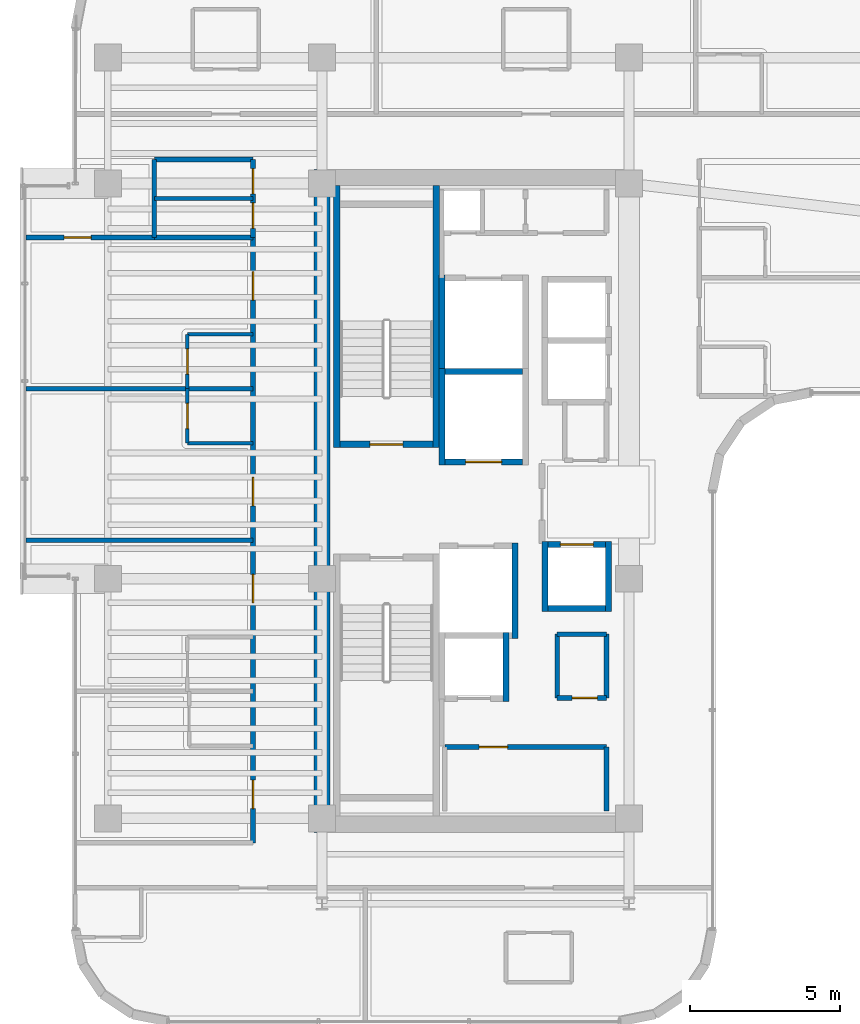
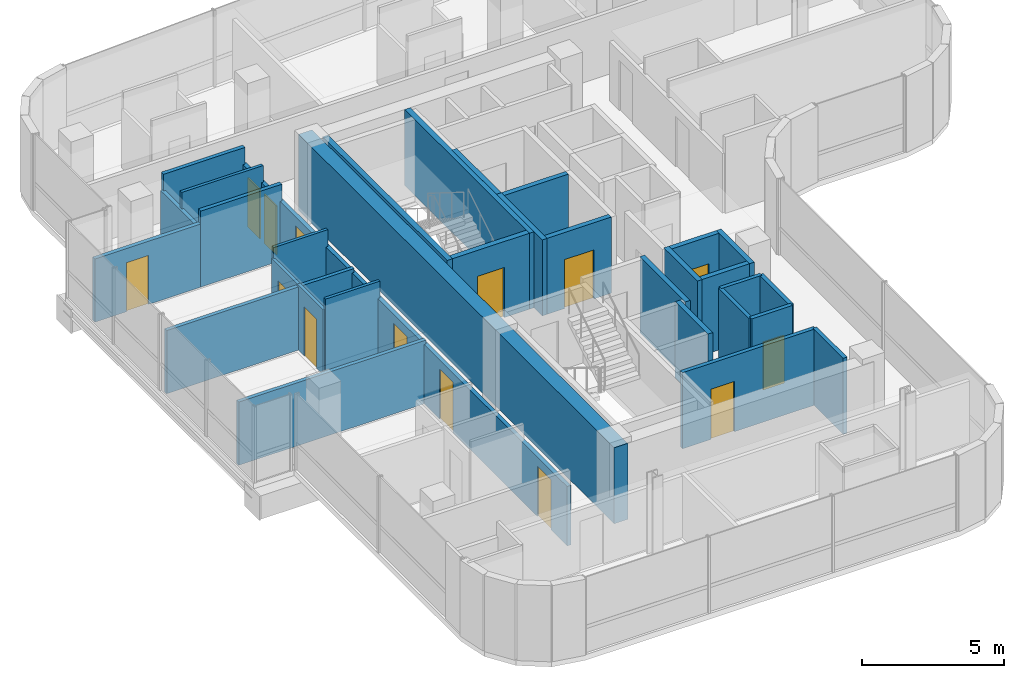
# One storey, part 17 of 22: 33 walls, 14 doors, 14 openings.
"""IFC4 building model written with IfcOpenShell, lengths in metres."""

import ifcopenshell
import ifcopenshell.guid

model = None  # the IFC model being written
_history = None  # IfcOwnerHistory: only IFC2X3 demands one
_inside = {}  # id of a spatial element -> (the spatial element, [elements in it])
_under = {}  # id of a project, library or spatial element -> (it, [spatial elements below it])
_declared = {}  # id of a project -> (the project, [libraries it declares])
_typed = {}  # id of a type object -> (the type object, [elements of that type])
_made_of = {}  # id of a material, layer set ... -> (it, [elements and type objects made of it])


def new_model(schema):
    """Start an empty IFC model of exactly this schema.

    Asked for "IFC4X3", IfcOpenShell would pick the latest addendum, in which some entities
    have other attributes; the version numbers below select the first issue.
    IFC2X3 requires an IfcOwnerHistory on every rooted entity: one is made here for all.
    """
    global model, _history
    if schema == "IFC4X3":
        model = ifcopenshell.file(schema_version=(4, 3, 0, 0))
    else:
        model = ifcopenshell.file(schema=schema)
    _inside.clear()
    _under.clear()
    _declared.clear()
    _typed.clear()
    _made_of.clear()
    _history = None
    if model.schema == "IFC2X3":
        org = make("IfcOrganization", Name="unknown")
        user = make(
            "IfcPersonAndOrganization",
            ThePerson=make("IfcPerson", FamilyName="unknown"),
            TheOrganization=org,
        )
        app = make(
            "IfcApplication",
            ApplicationDeveloper=org,
            Version="unknown",
            ApplicationFullName="unknown",
            ApplicationIdentifier="unknown",
        )
        _history = make(
            "IfcOwnerHistory",
            OwningUser=user,
            OwningApplication=app,
            ChangeAction="ADDED",
            CreationDate=0,
        )
    return model


def make(cls, **values):
    """One entity of the class cls with the attributes given. An attribute that is None is left unset."""
    return model.create_entity(
        cls, **{name: value for name, value in values.items() if value is not None}
    )


def rooted(cls, **values):
    """An entity with a GlobalId (a new one), such as an element, a storey or a relation."""
    return make(cls, GlobalId=ifcopenshell.guid.new(), OwnerHistory=_history, **values)


def si_unit(unit_type, name, prefix=None):
    """IfcSIUnit, for example si_unit("LENGTHUNIT", "METRE", prefix="MILLI")."""
    return make("IfcSIUnit", UnitType=unit_type, Prefix=prefix, Name=name)


def assignment(units):
    """IfcUnitAssignment: the units of a project."""
    return None if units is None else make("IfcUnitAssignment", Units=units)


def point(xyz):
    """IfcCartesianPoint."""
    return None if xyz is None else make("IfcCartesianPoint", Coordinates=xyz)


def direction(xyz):
    """IfcDirection."""
    return None if xyz is None else make("IfcDirection", DirectionRatios=xyz)


def frame(location, z_axis=None, x_axis=None):
    """IfcAxis2Placement3D, a coordinate frame: its origin and axes. An axis left out is left unset."""
    return make(
        "IfcAxis2Placement3D",
        Location=point(location),
        Axis=direction(z_axis),
        RefDirection=direction(x_axis),
    )


def frame_2d(location, x_axis=None):
    """IfcAxis2Placement2D, a coordinate frame in the plane: its origin and x axis."""
    return make(
        "IfcAxis2Placement2D", Location=point(location), RefDirection=direction(x_axis)
    )


def origin():
    """The frame at (0, 0, 0) with its axes left unset."""
    return frame((0.0, 0.0, 0.0))


def place(relative_to, where):
    """IfcLocalPlacement: puts the frame where relative to a parent placement (None: the world)."""
    return make(
        "IfcLocalPlacement", PlacementRelTo=relative_to, RelativePlacement=where
    )


def context(
    kind, dimensions, precision=None, world=None, true_north=None, identifier=None
):
    """IfcGeometricRepresentationContext, for example the 3D "Model" context."""
    return make(
        "IfcGeometricRepresentationContext",
        ContextIdentifier=identifier,
        ContextType=kind,
        CoordinateSpaceDimension=dimensions,
        Precision=precision,
        WorldCoordinateSystem=world,
        TrueNorth=true_north,
    )


def subcontext(parent, identifier, kind, view, scale=None):
    """IfcGeometricRepresentationSubContext, for example "Body" below "Model"."""
    return make(
        "IfcGeometricRepresentationSubContext",
        ContextIdentifier=identifier,
        ContextType=kind,
        ParentContext=parent,
        TargetScale=scale,
        TargetView=view,
    )


def project(units=None, contexts=None):
    """IfcProject with its units and contexts."""
    return rooted(
        "IfcProject",
        Name="project",
        RepresentationContexts=contexts,
        UnitsInContext=assignment(units),
    )


def spatial(cls, under=None, at=None, **own):
    """A site, building, storey or space (cls), placed at a placement, below another one or the project."""
    s = rooted(cls, ObjectPlacement=at, **own)
    if under is not None:
        _under.setdefault(under.id(), (under, []))[1].append(s)
    return s


def profile(cls, at=None, kind="AREA", **sizes):
    """A parametric profile (cls). Its sizes go by their IFC names, for example OverallWidth=200.0."""
    return make(cls, ProfileType=kind, Position=at, **sizes)


def rectangle(**sizes):
    """IfcRectangleProfileDef."""
    return profile("IfcRectangleProfileDef", **sizes)


def extrude(swept, where, along, depth):
    """IfcExtrudedAreaSolid: the profile swept, set in the frame where, extruded along a direction by depth."""
    return make(
        "IfcExtrudedAreaSolid",
        SweptArea=swept,
        Position=where,
        ExtrudedDirection=direction(along),
        Depth=depth,
    )


def shape(context_of_items, identifier, shape_type, items):
    """IfcShapeRepresentation: the items that make up one representation, for example the "Body"."""
    return make(
        "IfcShapeRepresentation",
        ContextOfItems=context_of_items,
        RepresentationIdentifier=identifier,
        RepresentationType=shape_type,
        Items=items,
    )


def material(Name=None, Category=None):
    """IfcMaterial."""
    return make("IfcMaterial", Name=Name, Category=Category)


def layer(
    of_material, thickness, ventilated=None, Name=None, Category=None, Priority=None
):
    """IfcMaterialLayer: one layer of a wall or slab, of a material (None: an air gap)."""
    return make(
        "IfcMaterialLayer",
        Material=of_material,
        LayerThickness=thickness,
        IsVentilated=ventilated,
        Name=Name,
        Category=Category,
        Priority=Priority,
    )


def layer_set(layers, Name=None):
    """IfcMaterialLayerSet."""
    return make("IfcMaterialLayerSet", MaterialLayers=layers, LayerSetName=Name)


def made_of(thing, what):
    """Note that an element or type object is made of a material, layer set ...; save() writes the relation."""
    if what is not None:
        _made_of.setdefault(what.id(), (what, []))[1].append(thing)
    return thing


def type_object(cls, material=None, **own):
    """A type object (cls), such as IfcWallType, which elements share."""
    return made_of(rooted(cls, **own), material)


def element(
    cls,
    number,
    at=None,
    inside=None,
    cuts=None,
    type_object=None,
    material=None,
    context=None,
    identifier="Body",
    shape_type=None,
    held_by="IfcProductDefinitionShape",
    body=None,
    shapes=None,
    **own,
):
    """One element of the class cls, such as IfcWall. Its Tag is "e" and its number.

    at: its placement. inside: the storey or other place that contains it. cuts: it is an
    opening in that element (IfcRelVoidsElement). A single representation is given by context,
    identifier, shape_type and body (its items); several are given by shapes. held_by: the class
    of the entity that holds the representations. save() writes the other relations.
    """
    e = rooted(cls, Tag="e%d" % number, ObjectPlacement=at, **own)
    if body is not None:
        shapes = [shape(context, identifier, shape_type, body)]
    if shapes is not None:
        e.Representation = make(held_by, Representations=shapes)
    if inside is not None:
        _inside.setdefault(inside.id(), (inside, []))[1].append(e)
    if cuts is not None:
        rooted(
            "IfcRelVoidsElement", RelatingBuildingElement=cuts, RelatedOpeningElement=e
        )
    if type_object is not None:
        _typed.setdefault(type_object.id(), (type_object, []))[1].append(e)
    return made_of(e, material)


def fill(opening, filler):
    """IfcRelFillsElement: the door or window that sits in an opening."""
    return rooted(
        "IfcRelFillsElement",
        RelatingOpeningElement=opening,
        RelatedBuildingElement=filler,
    )


def aggregate(whole, parts):
    """IfcRelAggregates: a whole, such as a stair, and the parts it consists of."""
    return rooted("IfcRelAggregates", RelatingObject=whole, RelatedObjects=parts)


def save(model, path):
    """Write the relations noted so far, then the file.

    IfcRelAggregates (storeys below a building ...), IfcRelContainedInSpatialStructure (elements
    in a storey), IfcRelDefinesByType, IfcRelAssociatesMaterial and IfcRelDeclares: one each for
    every whole, place, type object, material and project.
    """
    for whole, parts in _under.values():
        aggregate(whole, parts)
    for where, things in _inside.values():
        rooted(
            "IfcRelContainedInSpatialStructure",
            RelatedElements=things,
            RelatingStructure=where,
        )
    for kind, things in _typed.values():
        rooted("IfcRelDefinesByType", RelatedObjects=things, RelatingType=kind)
    for what, things in _made_of.values():
        rooted("IfcRelAssociatesMaterial", RelatedObjects=things, RelatingMaterial=what)
    for by, libraries in _declared.values():
        rooted("IfcRelDeclares", RelatingContext=by, RelatedDefinitions=libraries)
    model.write(path)


model = new_model("IFC4")

# Units and contexts
model_context = context("Model", 3, precision=1e-05, world=origin(), true_north=direction((0.0, 1.0)))
body_context = subcontext(model_context, "Body", "Model", "MODEL_VIEW")
ifc_project = project(units=[si_unit("LENGTHUNIT", "METRE"), si_unit("AREAUNIT", "SQUARE_METRE"), si_unit("VOLUMEUNIT", "CUBIC_METRE"), si_unit("PLANEANGLEUNIT", "RADIAN"), si_unit("MASSUNIT", "GRAM", prefix="KILO")], contexts=[model_context])

# Site, building, storey
site_placement = place(None, origin())
site = spatial("IfcSite", under=ifc_project, at=site_placement, CompositionType="ELEMENT")
building_placement = place(site_placement, origin())
building = spatial("IfcBuilding", under=site, at=building_placement, Name="Valdorenza Pilgrim Sanctuary Tower", CompositionType="ELEMENT")
storey_placement = place(building_placement, frame((0.0, 0.0, 212.5)))
storey = spatial("IfcBuildingStorey", under=building, at=storey_placement, Name="L54", CompositionType="ELEMENT", Elevation=212.5)

# Wall, opening, door
ifc_material_1 = material(Name="Acoustic twin-stud gypsum partition", Category="gypsum")
ifc_layer_1 = layer(ifc_material_1, 0.159912109375, Name="Acoustic twin-stud gypsum partition")
ifc_layer_set_1 = layer_set([ifc_layer_1], Name="Acoustic twin-stud gypsum partition")
wall_type_1 = type_object("IfcWallType", Name="WAL-COR-160", PredefinedType="PARTITIONING", material=ifc_layer_set_1)
wall_1_placement = place(storey_placement, frame((-18.550048828125, -8.219970703125, 0.0), z_axis=(0.0, 0.0, 1.0), x_axis=(1.0, 0.0, 0.0)))
wall_1 = element("IfcWall", 1, at=wall_1_placement, inside=storey, type_object=wall_type_1, Name="L54 Freed Shaft 1 North Wall", PredefinedType="PARTITIONING", context=body_context, shape_type="SweptSolid", body=[
    extrude(rectangle(XDim=5.400146484375, YDim=0.159912109375, at=frame_2d((2.7001953125, 0.0))), origin(), (0.0, 0.0, 1.0), 3.260009765625),
])
opening_1_placement = place(wall_1_placement, frame((1.14990234375, 0.0, 0.0)))
opening_1 = element("IfcOpeningElement", 2, at=opening_1_placement, cuts=wall_1, Name="Opening DR-UN1", PredefinedType="OPENING", context=body_context, shape_type="SweptSolid", body=[
    extrude(rectangle(XDim=0.949951171875, YDim=2.14990234375, at=frame_2d((0.47509765625, 1.074951171875))), frame((0.0, 0.0947265625, 0.0), z_axis=(0.0, -1.0, 0.0), x_axis=(1.0, 0.0, 0.0)), (0.0, 0.0, 1.0), 0.189697265625),
])
ifc_material_2 = material(Name="Solid-core European oak timber", Category="wood")
door_type_1 = type_object("IfcDoorType", Name="DR-UNIT-950", OperationType="NOTDEFINED", PredefinedType="DOOR", material=ifc_material_2)
door_1_placement = place(opening_1_placement, origin())
door_1 = element("IfcDoor", 3, at=door_1_placement, inside=storey, type_object=door_type_1, Name="L54 Back-of-House Linen Store Door", OperationType="SINGLE_SWING_RIGHT", OverallHeight=2.14990234375, OverallWidth=0.949951171875, PredefinedType="DOOR", context=body_context, shape_type="SweptSolid", body=[
    extrude(rectangle(XDim=0.949951171875, YDim=2.14990234375, at=frame_2d((0.47509765625, 1.074951171875))), frame((0.0, 0.02490234375, 0.0), z_axis=(0.0, -1.0, 0.0), x_axis=(1.0, 0.0, 0.0)), (0.0, 0.0, 1.0), 0.050048828125),
])
fill(opening_1, door_1)

# Wall
wall_2_placement = place(storey_placement, frame((-13.14990234375, -10.35009765625, 0.0), z_axis=(0.0, 0.0, 1.0), x_axis=(0.0, 1.0, 0.0)))
element("IfcWall", 4, at=wall_2_placement, inside=storey, type_object=wall_type_1, Name="L54 Freed Shaft 1 East Wall", PredefinedType="PARTITIONING", context=body_context, shape_type="SweptSolid", body=[
    extrude(rectangle(XDim=2.130126953125, YDim=0.159912109375, at=frame_2d((1.06494140625, 0.0))), origin(), (0.0, 0.0, 1.0), 3.260009765625),
])

# Wall, opening, door
wall_3_placement = place(storey_placement, frame((-14.800048828125, -6.580078125, 0.0), z_axis=(0.0, 0.0, 1.0), x_axis=(1.0, 0.0, 0.0)))
wall_3 = element("IfcWall", 5, at=wall_3_placement, inside=storey, type_object=wall_type_1, Name="L54 Freed Shaft 2 South Wall", PredefinedType="PARTITIONING", context=body_context, shape_type="SweptSolid", body=[
    extrude(rectangle(XDim=1.650146484375, YDim=0.159912109375, at=frame_2d((0.8251953125, 0.0))), origin(), (0.0, 0.0, 1.0), 3.260009765625),
])
opening_2_placement = place(wall_3_placement, frame((0.5, 0.0, 0.0)))
opening_2 = element("IfcOpeningElement", 6, at=opening_2_placement, cuts=wall_3, Name="Opening DR-RS1", PredefinedType="OPENING", context=body_context, shape_type="SweptSolid", body=[
    extrude(rectangle(XDim=0.85009765625, YDim=2.050048828125, at=frame_2d((0.425048828125, 1.02490234375))), frame((0.0, 0.0947265625, 0.0), z_axis=(0.0, -1.0, 0.0), x_axis=(1.0, 0.0, 0.0)), (0.0, 0.0, 1.0), 0.189697265625),
])
ifc_material_3 = material(Name="Painted galvanized steel", Category="steel")
door_type_2 = type_object("IfcDoorType", Name="DR-RSR-850", OperationType="NOTDEFINED", PredefinedType="DOOR", material=ifc_material_3)
door_2_placement = place(opening_2_placement, origin())
door_2 = element("IfcDoor", 7, at=door_2_placement, inside=storey, type_object=door_type_2, Name="L54 Guest Tea Pantry Door", OperationType="SINGLE_SWING_LEFT", OverallHeight=2.050048828125, OverallWidth=0.85009765625, PredefinedType="DOOR", context=body_context, shape_type="SweptSolid", body=[
    extrude(rectangle(XDim=0.85009765625, YDim=2.050048828125, at=frame_2d((0.425048828125, 1.02490234375))), frame((0.0, 0.02490234375, 0.0), z_axis=(0.0, -1.0, 0.0), x_axis=(1.0, 0.0, 0.0)), (0.0, 0.0, 1.0), 0.050048828125),
])
fill(opening_2, door_2)

# Walls
wall_4_placement = place(storey_placement, frame((-13.14990234375, -6.580078125, 0.0), z_axis=(0.0, 0.0, 1.0), x_axis=(0.0, 1.0, 0.0)))
element("IfcWall", 8, at=wall_4_placement, inside=storey, type_object=wall_type_1, Name="L54 Freed Shaft 2 East Wall", PredefinedType="PARTITIONING", context=body_context, shape_type="SweptSolid", body=[
    extrude(rectangle(XDim=2.130126953125, YDim=0.159912109375, at=frame_2d((1.06494140625, 0.0))), origin(), (0.0, 0.0, 1.0), 3.260009765625),
])
wall_5_placement = place(storey_placement, frame((-28.25, 8.800048828125, 0.0), z_axis=(0.0, 0.0, 1.0), x_axis=(0.0, 1.0, 0.0)))
element("IfcWall", 9, at=wall_5_placement, inside=storey, type_object=wall_type_1, Name="L54 Washroom West Wall", PredefinedType="PARTITIONING", context=body_context, shape_type="SweptSolid", body=[
    extrude(rectangle(XDim=2.599853515625, YDim=0.159912109375, at=frame_2d((1.2998046875, 0.0))), origin(), (0.0, 0.0, 1.0), 2.5439453125),
])

# Wall, openings, doors
wall_6_placement = place(storey_placement, frame((-24.949951171875, 8.800048828125, 0.0), z_axis=(0.0, 0.0, 1.0), x_axis=(0.0, 1.0, 0.0)))
wall_6 = element("IfcWall", 10, at=wall_6_placement, inside=storey, type_object=wall_type_1, Name="L54 Washroom East Wall", PredefinedType="PARTITIONING", context=body_context, shape_type="SweptSolid", body=[
    extrude(rectangle(XDim=2.599853515625, YDim=0.159912109375, at=frame_2d((1.2998046875, 0.0))), origin(), (0.0, 0.0, 1.0), 2.5439453125),
])
opening_3_placement = place(wall_6_placement, frame((0.300048828125, 0.0, 0.0)))
opening_3 = element("IfcOpeningElement", 11, at=opening_3_placement, cuts=wall_6, Name="Opening DR-WC1", PredefinedType="OPENING", context=body_context, shape_type="SweptSolid", body=[
    extrude(rectangle(XDim=0.85009765625, YDim=2.10009765625, at=frame_2d((0.425048828125, 1.050048828125))), frame((0.0, 0.0947265625, 0.0), z_axis=(0.0, -1.0, 0.0), x_axis=(1.0, 0.0, 0.0)), (0.0, 0.0, 1.0), 0.189697265625),
])
opening_4_placement = place(wall_6_placement, frame((1.449951171875, 0.0, 0.0)))
opening_4 = element("IfcOpeningElement", 12, at=opening_4_placement, cuts=wall_6, Name="Opening DR-WC1", PredefinedType="OPENING", context=body_context, shape_type="SweptSolid", body=[
    extrude(rectangle(XDim=0.85009765625, YDim=2.10009765625, at=frame_2d((0.425048828125, 1.050048828125))), frame((0.0, 0.0947265625, 0.0), z_axis=(0.0, -1.0, 0.0), x_axis=(1.0, 0.0, 0.0)), (0.0, 0.0, 1.0), 0.189697265625),
])
ifc_material_4 = material(Name="Moisture-resistant lacquered timber", Category="wood")
door_type_3 = type_object("IfcDoorType", Name="DR-BATH-850", OperationType="NOTDEFINED", PredefinedType="DOOR", material=ifc_material_4)
door_3_placement = place(opening_3_placement, origin())
door_3 = element("IfcDoor", 13, at=door_3_placement, inside=storey, type_object=door_type_3, Name="L54 Accessible Washroom Door", OperationType="SINGLE_SWING_LEFT", OverallHeight=2.10009765625, OverallWidth=0.85009765625, PredefinedType="DOOR", context=body_context, shape_type="SweptSolid", body=[
    extrude(rectangle(XDim=0.85009765625, YDim=2.10009765625, at=frame_2d((0.425048828125, 1.050048828125))), frame((0.0, 0.02490234375, 0.0), z_axis=(0.0, -1.0, 0.0), x_axis=(1.0, 0.0, 0.0)), (0.0, 0.0, 1.0), 0.050048828125),
])
fill(opening_3, door_3)
door_4_placement = place(opening_4_placement, origin())
door_4 = element("IfcDoor", 14, at=door_4_placement, inside=storey, type_object=door_type_3, Name="L54 Public Washroom Door", OperationType="SINGLE_SWING_RIGHT", OverallHeight=2.10009765625, OverallWidth=0.85009765625, PredefinedType="DOOR", context=body_context, shape_type="SweptSolid", body=[
    extrude(rectangle(XDim=0.85009765625, YDim=2.10009765625, at=frame_2d((0.425048828125, 1.050048828125))), frame((0.0, 0.02490234375, 0.0), z_axis=(0.0, -1.0, 0.0), x_axis=(1.0, 0.0, 0.0)), (0.0, 0.0, 1.0), 0.050048828125),
])
fill(opening_4, door_4)

# Walls
for number, where, z_axis, x_axis, name in (
    (15, (-28.25, 8.800048828125, 0.0), (0.0, 0.0, 1.0), (1.0, 0.0, 0.0), "L54 Washroom South Wall"),
    (16, (-28.25, 11.39990234375, 0.0), (0.0, 0.0, 1.0), (1.0, 0.0, 0.0), "L54 Washroom North Wall"),
):
    element("IfcWall", number, at=place(storey_placement, frame(where, z_axis=z_axis, x_axis=x_axis)), inside=storey, type_object=wall_type_1, Name=name, PredefinedType="PARTITIONING", context=body_context, shape_type="SweptSolid", body=[
        extrude(rectangle(XDim=3.300048828125, YDim=0.159912109375, at=frame_2d((1.64990234375, 0.0))), origin(), (0.0, 0.0, 1.0), 3.260009765625),
    ])

# Wall, openings, doors
wall_7_placement = place(storey_placement, frame((-24.949951171875, -11.419921875, 0.0), z_axis=(0.0, 0.0, 1.0), x_axis=(0.0, 1.0, 0.0)))
wall_7 = element("IfcWall", 17, at=wall_7_placement, inside=storey, type_object=wall_type_1, Name="L54 West Wing Corridor Wall", PredefinedType="PARTITIONING", context=body_context, shape_type="SweptSolid", body=[
    extrude(rectangle(XDim=20.219970703125, YDim=0.159912109375, at=frame_2d((10.10986328125, 0.0))), origin(), (0.0, 0.0, 1.0), 2.5439453125),
])
opening_5_placement = place(wall_7_placement, frame((1.14208984375, 0.0, 0.0)))
opening_5 = element("IfcOpeningElement", 18, at=opening_5_placement, cuts=wall_7, Name="Opening DR-UN1", PredefinedType="OPENING", context=body_context, shape_type="SweptSolid", body=[
    extrude(rectangle(XDim=0.949951171875, YDim=2.14990234375, at=frame_2d((0.47509765625, 1.074951171875))), frame((0.0, 0.0947265625, 0.0), z_axis=(0.0, -1.0, 0.0), x_axis=(1.0, 0.0, 0.0)), (0.0, 0.0, 1.0), 0.189697265625),
])
opening_6_placement = place(wall_7_placement, frame((8.01806640625, 0.0, 0.0)))
opening_6 = element("IfcOpeningElement", 19, at=opening_6_placement, cuts=wall_7, Name="Opening DR-UN1", PredefinedType="OPENING", context=body_context, shape_type="SweptSolid", body=[
    extrude(rectangle(XDim=0.949951171875, YDim=2.14990234375, at=frame_2d((0.47509765625, 1.074951171875))), frame((0.0, 0.0947265625, 0.0), z_axis=(0.0, -1.0, 0.0), x_axis=(1.0, 0.0, 0.0)), (0.0, 0.0, 1.0), 0.189697265625),
])
opening_7_placement = place(wall_7_placement, frame((11.251953125, 0.0, 0.0)))
opening_7 = element("IfcOpeningElement", 20, at=opening_7_placement, cuts=wall_7, Name="Opening DR-UN1", PredefinedType="OPENING", context=body_context, shape_type="SweptSolid", body=[
    extrude(rectangle(XDim=0.949951171875, YDim=2.14990234375, at=frame_2d((0.47509765625, 1.074951171875))), frame((0.0, 0.0947265625, 0.0), z_axis=(0.0, -1.0, 0.0), x_axis=(1.0, 0.0, 0.0)), (0.0, 0.0, 1.0), 0.189697265625),
])
opening_8_placement = place(wall_7_placement, frame((18.126953125, 0.0, 0.0)))
opening_8 = element("IfcOpeningElement", 21, at=opening_8_placement, cuts=wall_7, Name="Opening DR-UN1", PredefinedType="OPENING", context=body_context, shape_type="SweptSolid", body=[
    extrude(rectangle(XDim=0.949951171875, YDim=2.14990234375, at=frame_2d((0.47509765625, 1.074951171875))), frame((0.0, 0.0947265625, 0.0), z_axis=(0.0, -1.0, 0.0), x_axis=(1.0, 0.0, 0.0)), (0.0, 0.0, 1.0), 0.189697265625),
])
door_5_placement = place(opening_5_placement, origin())
door_5 = element("IfcDoor", 22, at=door_5_placement, inside=storey, type_object=door_type_1, Name="L54 Pilgrim Guest Room L54-W1 Entrance Door", OperationType="SINGLE_SWING_RIGHT", OverallHeight=2.14990234375, OverallWidth=0.949951171875, PredefinedType="DOOR", context=body_context, shape_type="SweptSolid", body=[
    extrude(rectangle(XDim=0.949951171875, YDim=2.14990234375, at=frame_2d((0.47509765625, 1.074951171875))), frame((0.0, 0.02490234375, 0.0), z_axis=(0.0, -1.0, 0.0), x_axis=(1.0, 0.0, 0.0)), (0.0, 0.0, 1.0), 0.050048828125),
])
fill(opening_5, door_5)
door_6_placement = place(opening_6_placement, origin())
door_6 = element("IfcDoor", 23, at=door_6_placement, inside=storey, type_object=door_type_1, Name="L54 Pilgrim Guest Room L54-W2 Entrance Door", OperationType="SINGLE_SWING_RIGHT", OverallHeight=2.14990234375, OverallWidth=0.949951171875, PredefinedType="DOOR", context=body_context, shape_type="SweptSolid", body=[
    extrude(rectangle(XDim=0.949951171875, YDim=2.14990234375, at=frame_2d((0.47509765625, 1.074951171875))), frame((0.0, 0.02490234375, 0.0), z_axis=(0.0, -1.0, 0.0), x_axis=(1.0, 0.0, 0.0)), (0.0, 0.0, 1.0), 0.050048828125),
])
fill(opening_6, door_6)
door_7_placement = place(opening_7_placement, origin())
door_7 = element("IfcDoor", 24, at=door_7_placement, inside=storey, type_object=door_type_1, Name="L54 Pilgrim Guest Room L54-W3 Entrance Door", OperationType="SINGLE_SWING_RIGHT", OverallHeight=2.14990234375, OverallWidth=0.949951171875, PredefinedType="DOOR", context=body_context, shape_type="SweptSolid", body=[
    extrude(rectangle(XDim=0.949951171875, YDim=2.14990234375, at=frame_2d((0.47509765625, 1.074951171875))), frame((0.0, 0.02490234375, 0.0), z_axis=(0.0, -1.0, 0.0), x_axis=(1.0, 0.0, 0.0)), (0.0, 0.0, 1.0), 0.050048828125),
])
fill(opening_7, door_7)
door_8_placement = place(opening_8_placement, origin())
door_8 = element("IfcDoor", 25, at=door_8_placement, inside=storey, type_object=door_type_1, Name="L54 Pilgrim Guest Room L54-W4 Entrance Door", OperationType="SINGLE_SWING_RIGHT", OverallHeight=2.14990234375, OverallWidth=0.949951171875, PredefinedType="DOOR", context=body_context, shape_type="SweptSolid", body=[
    extrude(rectangle(XDim=0.949951171875, YDim=2.14990234375, at=frame_2d((0.47509765625, 1.074951171875))), frame((0.0, 0.02490234375, 0.0), z_axis=(0.0, -1.0, 0.0), x_axis=(1.0, 0.0, 0.0)), (0.0, 0.0, 1.0), 0.050048828125),
])
fill(opening_8, door_8)

# Wall, opening, door
wall_8_placement = place(storey_placement, frame((-32.5400390625, 8.800048828125, 0.0), z_axis=(0.0, 0.0, 1.0), x_axis=(1.0, 0.0, 0.0)))
wall_8 = element("IfcWall", 26, at=wall_8_placement, inside=storey, type_object=wall_type_1, Name="L54 West North Alcove Wall", PredefinedType="PARTITIONING", context=body_context, shape_type="SweptSolid", body=[
    extrude(rectangle(XDim=4.2900390625, YDim=0.159912109375, at=frame_2d((2.14501953125, 0.0))), origin(), (0.0, 0.0, 1.0), 2.7060546875),
])
opening_9_placement = place(wall_8_placement, frame((1.280029296875, 0.0, 0.0)))
opening_9 = element("IfcOpeningElement", 27, at=opening_9_placement, cuts=wall_8, Name="Opening DR-RM1", PredefinedType="OPENING", context=body_context, shape_type="SweptSolid", body=[
    extrude(rectangle(XDim=0.89990234375, YDim=2.10009765625, at=frame_2d((0.449951171875, 1.050048828125))), frame((0.0, 0.0947265625, 0.0), z_axis=(0.0, -1.0, 0.0), x_axis=(1.0, 0.0, 0.0)), (0.0, 0.0, 1.0), 0.189697265625),
])
door_type_4 = type_object("IfcDoorType", Name="DR-ROOM-900", OperationType="NOTDEFINED", PredefinedType="DOOR", material=ifc_material_2)
door_9_placement = place(opening_9_placement, frame((0.89990234375, 0.0, 0.0), z_axis=(0.0, 0.0, 1.0), x_axis=(-1.0, 0.0, 0.0)))
door_9 = element("IfcDoor", 28, at=door_9_placement, inside=storey, type_object=door_type_4, Name="L54 Pilgrim Scholar Office L54-WN Door", OperationType="SINGLE_SWING_LEFT", OverallHeight=2.10009765625, OverallWidth=0.89990234375, PredefinedType="DOOR", context=body_context, shape_type="SweptSolid", body=[
    extrude(rectangle(XDim=0.89990234375, YDim=2.10009765625, at=frame_2d((0.449951171875, 1.050048828125))), frame((0.0, 0.02490234375, 0.0), z_axis=(0.0, -1.0, 0.0), x_axis=(1.0, 0.0, 0.0)), (0.0, 0.0, 1.0), 0.050048828125),
])
fill(opening_9, door_9)

# Walls
ifc_material_5 = material(Name="Concrete C50/60", Category="concrete")
ifc_layer_2 = layer(ifc_material_5, 0.550048828125, Name="Concrete C50/60")
ifc_layer_set_2 = layer_set([ifc_layer_2], Name="Concrete C50/60")
wall_type_2 = type_object("IfcWallType", Name="WAL-COR-550", PredefinedType="SHEAR", material=ifc_layer_set_2)
wall_9_placement = place(storey_placement, frame((-22.64990234375, -11.074951171875, 0.0), z_axis=(0.0, 0.0, 1.0), x_axis=(0.0, 1.0, 0.0)))
element("IfcWall", 29, at=wall_9_placement, inside=storey, type_object=wall_type_2, Name="L54 Split Core A Shear Wall W", PredefinedType="SHEAR", context=body_context, shape_type="SweptSolid", body=[
    extrude(rectangle(XDim=22.14990234375, YDim=0.550048828125, at=frame_2d((11.074951171875, 0.0))), origin(), (0.0, 0.0, 1.0), 3.260009765625),
])
ifc_material_6 = material(Name="Moisture-resistant gypsum partition", Category="gypsum")
ifc_layer_3 = layer(ifc_material_6, 0.1201171875, Name="Moisture-resistant gypsum partition")
ifc_layer_set_3 = layer_set([ifc_layer_3], Name="Moisture-resistant gypsum partition")
wall_type_3 = type_object("IfcWallType", Name="WAL-INT-120", PredefinedType="PARTITIONING", material=ifc_layer_set_3)
wall_10_placement = place(storey_placement, frame((-28.25, 10.10009765625, 0.0), z_axis=(0.0, 0.0, 1.0), x_axis=(1.0, 0.0, 0.0)))
element("IfcWall", 30, at=wall_10_placement, inside=storey, type_object=wall_type_3, Name="L54 Washroom Divider Wall", PredefinedType="PARTITIONING", context=body_context, shape_type="SweptSolid", body=[
    extrude(rectangle(XDim=3.300048828125, YDim=0.1201171875, at=frame_2d((1.64990234375, 0.0))), origin(), (0.0, 0.0, 1.0), 3.260009765625),
])
wall_11_placement = place(storey_placement, frame((-27.14990234375, 1.925048828125, 0.0), z_axis=(0.0, 0.0, 1.0), x_axis=(1.0, 0.0, 0.0)))
element("IfcWall", 31, at=wall_11_placement, inside=storey, type_object=wall_type_3, Name="L54 Pilgrim Guest Room L54-W3 En-suite South Wall", PredefinedType="PARTITIONING", context=body_context, shape_type="SweptSolid", body=[
    extrude(rectangle(XDim=2.199951171875, YDim=0.1201171875, at=frame_2d((1.10009765625, 0.0))), origin(), (0.0, 0.0, 1.0), 3.260009765625),
])

# Wall, opening, door
wall_12_placement = place(storey_placement, frame((-27.14990234375, 1.925048828125, 0.0), z_axis=(0.0, 0.0, 1.0), x_axis=(0.0, 1.0, 0.0)))
wall_12 = element("IfcWall", 32, at=wall_12_placement, inside=storey, type_object=wall_type_3, Name="L54 Pilgrim Guest Room L54-W3 En-suite Door Wall", PredefinedType="PARTITIONING", context=body_context, shape_type="SweptSolid", body=[
    extrude(rectangle(XDim=1.820068359375, YDim=0.1201171875, at=frame_2d((0.91015625, 0.0))), origin(), (0.0, 0.0, 1.0), 2.7880859375),
])
opening_10_placement = place(wall_12_placement, frame((0.485107421875, 0.0, 0.0)))
opening_10 = element("IfcOpeningElement", 33, at=opening_10_placement, cuts=wall_12, Name="Opening DR-WC1", PredefinedType="OPENING", context=body_context, shape_type="SweptSolid", body=[
    extrude(rectangle(XDim=0.85009765625, YDim=2.10009765625, at=frame_2d((0.425048828125, 1.050048828125))), frame((0.0, 0.074951171875, 0.0), z_axis=(0.0, -1.0, 0.0), x_axis=(1.0, 0.0, 0.0)), (0.0, 0.0, 1.0), 0.14990234375),
])
door_10_placement = place(opening_10_placement, origin())
door_10 = element("IfcDoor", 34, at=door_10_placement, inside=storey, type_object=door_type_3, Name="L54 Pilgrim Guest Room L54-W3 En-suite Bathroom Door", OperationType="SINGLE_SWING_LEFT", OverallHeight=2.10009765625, OverallWidth=0.85009765625, PredefinedType="DOOR", context=body_context, shape_type="SweptSolid", body=[
    extrude(rectangle(XDim=0.85009765625, YDim=2.10009765625, at=frame_2d((0.425048828125, 1.050048828125))), frame((0.0, 0.02490234375, 0.0), z_axis=(0.0, -1.0, 0.0), x_axis=(1.0, 0.0, 0.0)), (0.0, 0.0, 1.0), 0.050048828125),
])
fill(opening_10, door_10)

# Wall
wall_13_placement = place(storey_placement, frame((-27.14990234375, 5.56494140625, 0.0), z_axis=(0.0, 0.0, 1.0), x_axis=(1.0, 0.0, 0.0)))
element("IfcWall", 35, at=wall_13_placement, inside=storey, type_object=wall_type_3, Name="L54 Pilgrim Guest Room L54-W4 En-suite North Wall", PredefinedType="PARTITIONING", context=body_context, shape_type="SweptSolid", body=[
    extrude(rectangle(XDim=2.199951171875, YDim=0.1201171875, at=frame_2d((1.10009765625, 0.0))), origin(), (0.0, 0.0, 1.0), 3.260009765625),
])

# Wall, opening, door
wall_14_placement = place(storey_placement, frame((-27.14990234375, 3.7451171875, 0.0), z_axis=(0.0, 0.0, 1.0), x_axis=(0.0, 1.0, 0.0)))
wall_14 = element("IfcWall", 36, at=wall_14_placement, inside=storey, type_object=wall_type_3, Name="L54 Pilgrim Guest Room L54-W4 En-suite Door Wall", PredefinedType="PARTITIONING", context=body_context, shape_type="SweptSolid", body=[
    extrude(rectangle(XDim=1.81982421875, YDim=0.1201171875, at=frame_2d((0.909912109375, 0.0))), origin(), (0.0, 0.0, 1.0), 2.7880859375),
])
opening_11_placement = place(wall_14_placement, frame((0.485107421875, 0.0, 0.0)))
opening_11 = element("IfcOpeningElement", 37, at=opening_11_placement, cuts=wall_14, Name="Opening DR-WC1", PredefinedType="OPENING", context=body_context, shape_type="SweptSolid", body=[
    extrude(rectangle(XDim=0.85009765625, YDim=2.10009765625, at=frame_2d((0.425048828125, 1.050048828125))), frame((0.0, 0.074951171875, 0.0), z_axis=(0.0, -1.0, 0.0), x_axis=(1.0, 0.0, 0.0)), (0.0, 0.0, 1.0), 0.14990234375),
])
door_11_placement = place(opening_11_placement, origin())
door_11 = element("IfcDoor", 38, at=door_11_placement, inside=storey, type_object=door_type_3, Name="L54 Pilgrim Guest Room L54-W4 En-suite Bathroom Door", OperationType="SINGLE_SWING_LEFT", OverallHeight=2.10009765625, OverallWidth=0.85009765625, PredefinedType="DOOR", context=body_context, shape_type="SweptSolid", body=[
    extrude(rectangle(XDim=0.85009765625, YDim=2.10009765625, at=frame_2d((0.425048828125, 1.050048828125))), frame((0.0, 0.02490234375, 0.0), z_axis=(0.0, -1.0, 0.0), x_axis=(1.0, 0.0, 0.0)), (0.0, 0.0, 1.0), 0.050048828125),
])
fill(opening_11, door_11)

# Wall
ifc_material_7 = material(Name="Autoclaved aerated concrete blockwork", Category="masonry")
ifc_layer_4 = layer(ifc_material_7, 0.199951171875, Name="Autoclaved aerated concrete blockwork")
ifc_layer_set_4 = layer_set([ifc_layer_4], Name="Autoclaved aerated concrete blockwork")
wall_type_4 = type_object("IfcWallType", Name="WAL-SHF-200", PredefinedType="MOVABLE", material=ifc_layer_set_4)
wall_15_placement = place(storey_placement, frame((-18.64990234375, 1.199951171875, 0.0), z_axis=(0.0, 0.0, 1.0), x_axis=(0.0, 1.0, 0.0)))
element("IfcWall", 39, at=wall_15_placement, inside=storey, type_object=wall_type_4, Name="L54 Lift FFL-01 Hoistway Wall West", PredefinedType="MOVABLE", context=body_context, shape_type="SweptSolid", body=[
    extrude(rectangle(XDim=3.22509765625, YDim=0.199951171875, at=frame_2d((1.612548828125, 0.0))), origin(), (0.0, 0.0, 1.0), 3.260009765625),
])

# Wall, opening, door
wall_16_placement = place(storey_placement, frame((-18.550048828125, 1.300048828125, 0.0), z_axis=(0.0, 0.0, 1.0), x_axis=(1.0, 0.0, 0.0)))
wall_16 = element("IfcWall", 40, at=wall_16_placement, inside=storey, type_object=wall_type_4, Name="L54 Lift FFL-01 Hoistway Wall South", PredefinedType="MOVABLE", context=body_context, shape_type="SweptSolid", body=[
    extrude(rectangle(XDim=2.60009765625, YDim=0.199951171875, at=frame_2d((1.300048828125, 0.0))), origin(), (0.0, 0.0, 1.0), 3.260009765625),
])
opening_12_placement = place(wall_16_placement, frame((0.699951171875, 0.0, 0.0)))
opening_12 = element("IfcOpeningElement", 41, at=opening_12_placement, cuts=wall_16, Name="Opening LD-02", PredefinedType="OPENING", context=body_context, shape_type="SweptSolid", body=[
    extrude(rectangle(XDim=1.199951171875, YDim=2.10009765625, at=frame_2d((0.60009765625, 1.050048828125))), frame((0.0, 0.11474609375, 0.0), z_axis=(0.0, -1.0, 0.0), x_axis=(1.0, 0.0, 0.0)), (0.0, 0.0, 1.0), 0.229736328125),
])
ifc_material_8 = material(Name="Brushed stainless steel Grade 316", Category="steel")
door_type_5 = type_object("IfcDoorType", Name="DR-LFT-1200", OperationType="DOUBLE_DOOR_SLIDING", PredefinedType="DOOR", material=ifc_material_8)
door_12_placement = place(opening_12_placement, origin())
door_12 = element("IfcDoor", 42, at=door_12_placement, inside=storey, type_object=door_type_5, Name="L54 Lift FFL-01 Sliding Landing Door", OperationType="DOUBLE_DOOR_SLIDING", OverallHeight=2.10009765625, OverallWidth=1.199951171875, PredefinedType="DOOR", context=body_context, shape_type="SweptSolid", body=[
    extrude(rectangle(XDim=1.199951171875, YDim=2.10009765625, at=frame_2d((0.60009765625, 1.050048828125))), frame((0.0, 0.02490234375, 0.0), z_axis=(0.0, -1.0, 0.0), x_axis=(1.0, 0.0, 0.0)), (0.0, 0.0, 1.0), 0.050048828125),
])
fill(opening_12, door_12)

# Walls
wall_17_placement = place(storey_placement, frame((-18.550048828125, 4.324951171875, 0.0), z_axis=(0.0, 0.0, 1.0), x_axis=(1.0, 0.0, 0.0)))
element("IfcWall", 43, at=wall_17_placement, inside=storey, type_object=wall_type_4, Name="L54 Lift FFL-01 Hoistway Wall North", PredefinedType="MOVABLE", context=body_context, shape_type="SweptSolid", body=[
    extrude(rectangle(XDim=2.60009765625, YDim=0.199951171875, at=frame_2d((1.300048828125, 0.0))), origin(), (0.0, 0.0, 1.0), 3.260009765625),
])
wall_18_placement = place(storey_placement, frame((-16.199951171875, -4.60009765625, 0.0), z_axis=(0.0, 0.0, 1.0), x_axis=(0.0, 1.0, 0.0)))
element("IfcWall", 44, at=wall_18_placement, inside=storey, type_object=wall_type_4, Name="L54 Lift FFL-02 Hoistway Wall East", PredefinedType="MOVABLE", context=body_context, shape_type="SweptSolid", body=[
    extrude(rectangle(XDim=3.2001953125, YDim=0.199951171875, at=frame_2d((1.60009765625, 0.0))), origin(), (0.0, 0.0, 1.0), 3.260009765625),
])
wall_19_placement = place(storey_placement, frame((-18.64990234375, 4.22509765625, 0.0), z_axis=(0.0, 0.0, 1.0), x_axis=(0.0, 1.0, 0.0)))
element("IfcWall", 45, at=wall_19_placement, inside=storey, type_object=wall_type_4, Name="L54 Lift SVL-01 Hoistway Wall West", PredefinedType="MOVABLE", context=body_context, shape_type="SweptSolid", body=[
    extrude(rectangle(XDim=3.324951171875, YDim=0.199951171875, at=frame_2d((1.66259765625, 0.0))), origin(), (0.0, 0.0, 1.0), 3.260009765625),
])
wall_20_placement = place(storey_placement, frame((-16.5, -6.699951171875, 0.0), z_axis=(0.0, 0.0, 1.0), x_axis=(0.0, 1.0, 0.0)))
element("IfcWall", 46, at=wall_20_placement, inside=storey, type_object=wall_type_4, Name="L54 Lift PL-11 Hoistway Wall East", PredefinedType="MOVABLE", context=body_context, shape_type="SweptSolid", body=[
    extrude(rectangle(XDim=2.300048828125, YDim=0.199951171875, at=frame_2d((1.14990234375, 0.0))), origin(), (0.0, 0.0, 1.0), 3.260009765625),
])
for number, where, z_axis, x_axis, name in (
    (47, (-15.199951171875, -3.699951171875, 0.0), (0.0, 0.0, 1.0), (0.0, 1.0, 0.0), "L54 Lift PL-12 Hoistway Wall West"),
    (48, (-13.080078125, -3.699951171875, 0.0), (0.0, 0.0, 1.0), (0.0, 1.0, 0.0), "L54 Lift PL-12 Hoistway Wall East"),
):
    element("IfcWall", number, at=place(storey_placement, frame(where, z_axis=z_axis, x_axis=x_axis)), inside=storey, type_object=wall_type_4, Name=name, PredefinedType="MOVABLE", context=body_context, shape_type="SweptSolid", body=[
        extrude(rectangle(XDim=2.349853515625, YDim=0.199951171875, at=frame_2d((1.1748046875, 0.0))), origin(), (0.0, 0.0, 1.0), 3.260009765625),
    ])
wall_21_placement = place(storey_placement, frame((-15.10009765625, -3.60009765625, 0.0), z_axis=(0.0, 0.0, 1.0), x_axis=(1.0, 0.0, 0.0)))
element("IfcWall", 49, at=wall_21_placement, inside=storey, type_object=wall_type_4, Name="L54 Lift PL-12 Hoistway Wall South", PredefinedType="MOVABLE", context=body_context, shape_type="SweptSolid", body=[
    extrude(rectangle(XDim=1.920166015625, YDim=0.199951171875, at=frame_2d((0.9599609375, 0.0))), origin(), (0.0, 0.0, 1.0), 3.260009765625),
])

# Wall, opening, door
wall_22_placement = place(storey_placement, frame((-15.10009765625, -1.449951171875, 0.0), z_axis=(0.0, 0.0, 1.0), x_axis=(1.0, 0.0, 0.0)))
wall_22 = element("IfcWall", 50, at=wall_22_placement, inside=storey, type_object=wall_type_4, Name="L54 Lift PL-12 Hoistway Wall North", PredefinedType="MOVABLE", context=body_context, shape_type="SweptSolid", body=[
    extrude(rectangle(XDim=1.920166015625, YDim=0.199951171875, at=frame_2d((0.9599609375, 0.0))), origin(), (0.0, 0.0, 1.0), 3.260009765625),
])
opening_13_placement = place(wall_22_placement, frame((0.409912109375, 0.0, 0.0)))
opening_13 = element("IfcOpeningElement", 51, at=opening_13_placement, cuts=wall_22, Name="Opening LD-01", PredefinedType="OPENING", context=body_context, shape_type="SweptSolid", body=[
    extrude(rectangle(XDim=1.10009765625, YDim=2.10009765625, at=frame_2d((0.550048828125, 1.050048828125))), frame((0.0, 0.11474609375, 0.0), z_axis=(0.0, -1.0, 0.0), x_axis=(1.0, 0.0, 0.0)), (0.0, 0.0, 1.0), 0.229736328125),
])
door_type_6 = type_object("IfcDoorType", Name="DR-LFT-1100", OperationType="DOUBLE_DOOR_SLIDING", PredefinedType="DOOR", material=ifc_material_8)
door_13_placement = place(opening_13_placement, origin())
door_13 = element("IfcDoor", 52, at=door_13_placement, inside=storey, type_object=door_type_6, Name="L54 Lift PL-12 Sliding Landing Door", OperationType="DOUBLE_DOOR_SLIDING", OverallHeight=2.10009765625, OverallWidth=1.10009765625, PredefinedType="DOOR", context=body_context, shape_type="SweptSolid", body=[
    extrude(rectangle(XDim=1.10009765625, YDim=2.10009765625, at=frame_2d((0.550048828125, 1.050048828125))), frame((0.0, 0.02490234375, 0.0), z_axis=(0.0, -1.0, 0.0), x_axis=(1.0, 0.0, 0.0)), (0.0, 0.0, 1.0), 0.050048828125),
])
fill(opening_13, door_13)

# Walls
ifc_material_9 = material(Name="Concrete C40/50", Category="concrete")
ifc_layer_5 = layer(ifc_material_9, 0.219970703125, Name="Concrete C40/50")
ifc_layer_set_5 = layer_set([ifc_layer_5], Name="Concrete C40/50")
wall_type_5 = type_object("IfcWallType", Name="WAL-STR-SHF-220", PredefinedType="SHEAR", material=ifc_layer_set_5)
for number, where, z_axis, x_axis, name in (
    (53, (-22.159912109375, 1.780029296875, 0.0), (0.0, 0.0, 1.0), (0.0, 1.0, 0.0), "L54 ST-A1 Structural Stairwell Wall W"),
    (54, (-18.830078125, 1.780029296875, 0.0), (0.0, 0.0, 1.0), (0.0, 1.0, 0.0), "L54 ST-A1 Structural Stairwell Wall E"),
):
    element("IfcWall", number, at=place(storey_placement, frame(where, z_axis=z_axis, x_axis=x_axis)), inside=storey, type_object=wall_type_5, Name=name, PredefinedType="SHEAR", context=body_context, shape_type="SweptSolid", body=[
        extrude(rectangle(XDim=8.744873046875, YDim=0.219970703125, at=frame_2d((4.37255859375, 0.0))), origin(), (0.0, 0.0, 1.0), 3.260009765625),
    ])

# Wall, opening, door
wall_23_placement = place(storey_placement, frame((-22.050048828125, 1.889892578125, 0.0), z_axis=(0.0, 0.0, 1.0), x_axis=(1.0, 0.0, 0.0)))
wall_23 = element("IfcWall", 55, at=wall_23_placement, inside=storey, type_object=wall_type_5, Name="L54 ST-A1 Structural Stairwell Wall S", PredefinedType="SHEAR", context=body_context, shape_type="SweptSolid", body=[
    extrude(rectangle(XDim=3.110107421875, YDim=0.219970703125, at=frame_2d((1.55517578125, 0.0))), origin(), (0.0, 0.0, 1.0), 3.260009765625),
])
opening_14_placement = place(wall_23_placement, frame((1.0, 0.0, 0.0)))
opening_14 = element("IfcOpeningElement", 56, at=opening_14_placement, cuts=wall_23, Name="Opening DR-ST1", PredefinedType="OPENING", context=body_context, shape_type="SweptSolid", body=[
    extrude(rectangle(XDim=1.10009765625, YDim=2.14990234375, at=frame_2d((0.550048828125, 1.074951171875))), frame((0.0, 0.125, 0.0), z_axis=(0.0, -1.0, 0.0), x_axis=(1.0, 0.0, 0.0)), (0.0, 0.0, 1.0), 0.249755859375),
])
door_type_7 = type_object("IfcDoorType", Name="DR-STAIR-1100", OperationType="NOTDEFINED", PredefinedType="DOOR", material=ifc_material_3)
door_14_placement = place(opening_14_placement, frame((1.10009765625, 0.0, 0.0), z_axis=(0.0, 0.0, 1.0), x_axis=(-1.0, 0.0, 0.0)))
door_14 = element("IfcDoor", 57, at=door_14_placement, inside=storey, type_object=door_type_7, Name="L54 Exit Stair ST-A1 Door", OperationType="SINGLE_SWING_LEFT", OverallHeight=2.14990234375, OverallWidth=1.10009765625, PredefinedType="DOOR", context=body_context, shape_type="SweptSolid", body=[
    extrude(rectangle(XDim=1.10009765625, YDim=2.14990234375, at=frame_2d((0.550048828125, 1.074951171875))), frame((0.0, 0.02490234375, 0.0), z_axis=(0.0, -1.0, 0.0), x_axis=(1.0, 0.0, 0.0)), (0.0, 0.0, 1.0), 0.050048828125),
])
fill(opening_14, door_14)

# Walls
ifc_layer_6 = layer(ifc_material_1, 0.14990234375, Name="Acoustic twin-stud gypsum partition")
ifc_layer_set_6 = layer_set([ifc_layer_6], Name="Acoustic twin-stud gypsum partition")
wall_type_6 = type_object("IfcWallType", Name="WAL-UNT-150", PredefinedType="PARTITIONING", material=ifc_layer_set_6)
wall_24_placement = place(storey_placement, frame((-14.800048828125, -6.580078125, 0.0), z_axis=(0.0, 0.0, 1.0), x_axis=(0.0, 1.0, 0.0)))
element("IfcWall", 58, at=wall_24_placement, inside=storey, type_object=wall_type_6, Name="L54 Freed Shaft 2 West Wall", PredefinedType="PARTITIONING", context=body_context, shape_type="SweptSolid", body=[
    extrude(rectangle(XDim=2.130126953125, YDim=0.14990234375, at=frame_2d((1.06494140625, 0.0))), origin(), (0.0, 0.0, 1.0), 3.260009765625),
])
wall_25_placement = place(storey_placement, frame((-14.800048828125, -4.449951171875, 0.0), z_axis=(0.0, 0.0, 1.0), x_axis=(1.0, 0.0, 0.0)))
element("IfcWall", 59, at=wall_25_placement, inside=storey, type_object=wall_type_6, Name="L54 Freed Shaft 2 North Wall", PredefinedType="PARTITIONING", context=body_context, shape_type="SweptSolid", body=[
    extrude(rectangle(XDim=1.650146484375, YDim=0.14990234375, at=frame_2d((0.8251953125, 0.0))), origin(), (0.0, 0.0, 1.0), 3.260009765625),
])
for number, where, z_axis, x_axis, name in (
    (60, (-32.5400390625, -1.31005859375, 0.0), (0.0, 0.0, 1.0), (1.0, 0.0, 0.0), "L54 West Demising 2"),
    (61, (-32.5400390625, 3.7451171875, 0.0), (0.0, 0.0, 1.0), (1.0, 0.0, 0.0), "L54 West Demising 3"),
):
    element("IfcWall", number, at=place(storey_placement, frame(where, z_axis=z_axis, x_axis=x_axis)), inside=storey, type_object=wall_type_6, Name=name, PredefinedType="PARTITIONING", context=body_context, shape_type="SweptSolid", body=[
        extrude(rectangle(XDim=7.590087890625, YDim=0.14990234375, at=frame_2d((3.794921875, 0.0))), origin(), (0.0, 0.0, 1.0), 2.7060546875),
    ])

save(model, "model.ifc")
